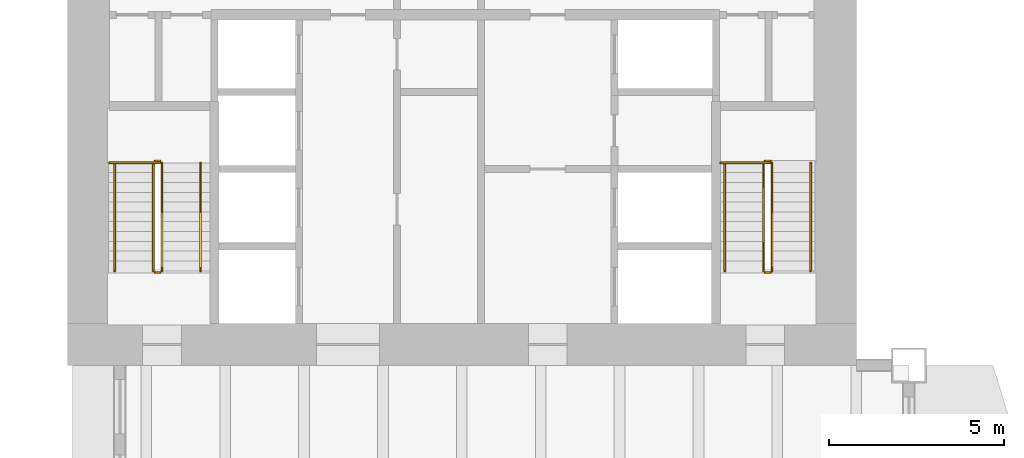
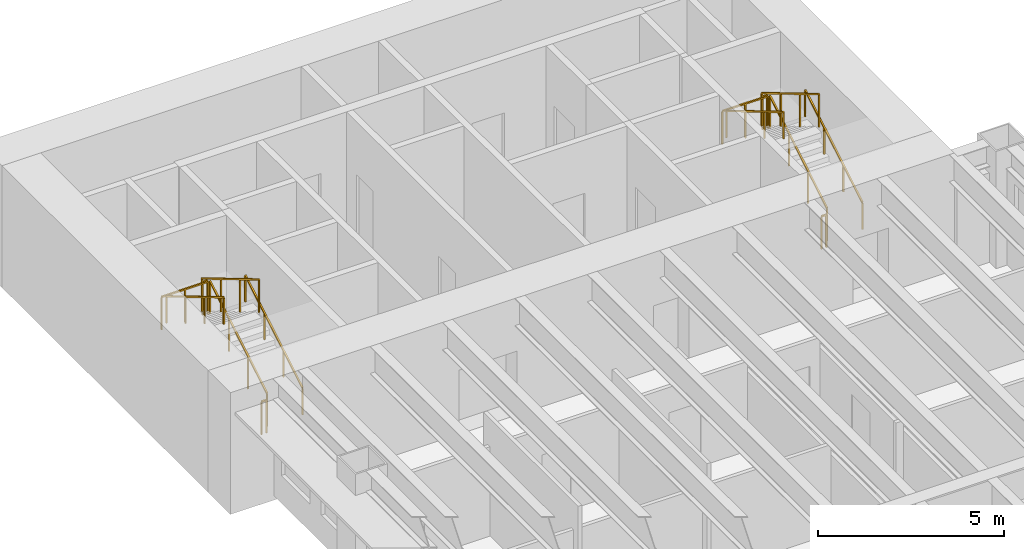
# One storey, part 16 of 16: 14 railings.
"""IFC4 building model written with IfcOpenShell, lengths in metres."""

from ifc_helpers import new_model, si_unit, direction, frame, origin, origin_2d, place, context, subcontext, project, spatial, rectangle, extrude, material, type_object, element, save


model = new_model("IFC4")

# Units and contexts
model_context = context("Model", 3, precision=1e-05, world=origin(), true_north=direction((0.0, 1.0)))
body_context = subcontext(model_context, "Body", "Model", "MODEL_VIEW")
ifc_project = project(units=[si_unit("LENGTHUNIT", "METRE"), si_unit("AREAUNIT", "SQUARE_METRE"), si_unit("VOLUMEUNIT", "CUBIC_METRE"), si_unit("PLANEANGLEUNIT", "RADIAN"), si_unit("MASSUNIT", "GRAM", prefix="KILO")], contexts=[model_context])

# Site, building, storey
site_placement = place(None, origin())
site = spatial("IfcSite", under=ifc_project, at=site_placement, CompositionType="ELEMENT")
building_placement = place(site_placement, origin())
building = spatial("IfcBuilding", under=site, at=building_placement, Name="Sennacour Bend Tower", CompositionType="ELEMENT")
storey_placement = place(building_placement, frame((0.0, 0.0, 119.0)))
storey = spatial("IfcBuildingStorey", under=building, at=storey_placement, Name="L27", CompositionType="ELEMENT", Elevation=119.0)

# Railings
ifc_material = material(Name="Stainless steel", Category="steel")
railing_type_1 = type_object("IfcRailingType", Name="RL-GUARD-1100", PredefinedType="GUARDRAIL", material=ifc_material)
railing_1_placement = place(storey_placement, frame((2.699951171875, 38.699951171875, 0.166748046875)))
element("IfcRailing", 1, at=railing_1_placement, inside=storey, type_object=railing_type_1, Name="L27 SB1 stair guard 1", PredefinedType="GUARDRAIL", context=body_context, shape_type="SweptSolid", body=[
    extrude(rectangle(XDim=0.048095703125, YDim=0.048095703125, at=origin_2d()), frame((0.0, 0.0, 1.076171875), z_axis=(0.0, 0.859308565015, 0.511457515432), x_axis=(-1.0, 0.0, 0.0)), (0.0, 0.0, 1.0), 3.58447265625),
    extrude(rectangle(XDim=0.0419921875, YDim=0.0419921875, at=origin_2d()), origin(), (0.0, 0.0, 1.0), 1.052001953125),
    extrude(rectangle(XDim=0.0419921875, YDim=0.0419921875, at=origin_2d()), frame((0.0, 1.026611328125, 0.611083984375)), (0.0, 0.0, 1.0), 1.052001953125),
    extrude(rectangle(XDim=0.0419921875, YDim=0.0419921875, at=origin_2d()), frame((0.0, 2.053466796875, 1.22216796875)), (0.0, 0.0, 1.0), 1.052001953125),
    extrude(rectangle(XDim=0.0419921875, YDim=0.0419921875, at=origin_2d()), frame((0.0, 3.080078125, 1.833251953125)), (0.0, 0.0, 1.0), 1.052001953125),
])
railing_2_placement = place(storey_placement, frame((2.64990234375, 41.830078125, 2.0)))
element("IfcRailing", 2, at=railing_2_placement, inside=storey, type_object=railing_type_1, Name="L27 SB1 stair guard 2", PredefinedType="GUARDRAIL", context=body_context, shape_type="SweptSolid", body=[
    extrude(rectangle(XDim=0.048095703125, YDim=0.048095703125, at=origin_2d()), frame((0.0, 0.0, 1.076171875), z_axis=(-1.0, 0.0, 0.0), x_axis=(0.0, -1.0, 0.0)), (0.0, 0.0, 1.0), 0.14990234375),
    extrude(rectangle(XDim=0.0419921875, YDim=0.0419921875, at=origin_2d()), origin(), (0.0, 0.0, 1.0), 1.052001953125),
    extrude(rectangle(XDim=0.0419921875, YDim=0.0419921875, at=origin_2d()), frame((-0.14990234375, 0.0, 0.0)), (0.0, 0.0, 1.0), 1.052001953125),
])
railing_3_placement = place(storey_placement, frame((2.449951171875, 41.780029296875, 2.166748046875)))
element("IfcRailing", 3, at=railing_3_placement, inside=storey, type_object=railing_type_1, Name="L27 SB1 stair guard 4", PredefinedType="GUARDRAIL", context=body_context, shape_type="SweptSolid", body=[
    extrude(rectangle(XDim=0.048095703125, YDim=0.048095703125, at=origin_2d()), frame((0.0, 0.0, 1.076171875), z_axis=(0.0, -0.859308565015, 0.511457515432), x_axis=(1.0, 0.0, 0.0)), (0.0, 0.0, 1.0), 3.58447265625),
    extrude(rectangle(XDim=0.0419921875, YDim=0.0419921875, at=origin_2d()), origin(), (0.0, 0.0, 1.0), 1.052001953125),
    extrude(rectangle(XDim=0.0419921875, YDim=0.0419921875, at=origin_2d()), frame((0.0, -1.026611328125, 0.611083984375)), (0.0, 0.0, 1.0), 1.052001953125),
    extrude(rectangle(XDim=0.0419921875, YDim=0.0419921875, at=origin_2d()), frame((0.0, -2.053466796875, 1.22216796875)), (0.0, 0.0, 1.0), 1.052001953125),
    extrude(rectangle(XDim=0.0419921875, YDim=0.0419921875, at=origin_2d()), frame((0.0, -3.080078125, 1.833251953125)), (0.0, 0.0, 1.0), 1.052001953125),
])
railing_4_placement = place(storey_placement, frame((2.64990234375, 38.64990234375, 0.0)))
element("IfcRailing", 4, at=railing_4_placement, inside=storey, type_object=railing_type_1, Name="L27 SB1 stair guard 5", PredefinedType="GUARDRAIL", context=body_context, shape_type="SweptSolid", body=[
    extrude(rectangle(XDim=0.048095703125, YDim=0.048095703125, at=origin_2d()), frame((0.0, 0.0, 1.076171875), z_axis=(-1.0, 0.0, 0.0), x_axis=(0.0, -1.0, 0.0)), (0.0, 0.0, 1.0), 0.14990234375),
    extrude(rectangle(XDim=0.0419921875, YDim=0.0419921875, at=origin_2d()), origin(), (0.0, 0.0, 1.0), 1.052001953125),
    extrude(rectangle(XDim=0.0419921875, YDim=0.0419921875, at=origin_2d()), frame((-0.14990234375, 0.0, 0.0)), (0.0, 0.0, 1.0), 1.052001953125),
])
railing_5_placement = place(storey_placement, frame((2.64990234375, 41.780029296875, 2.0)))
element("IfcRailing", 5, at=railing_5_placement, inside=storey, type_object=railing_type_1, Name="L27 SB1 landing edge guard 50", PredefinedType="GUARDRAIL", context=body_context, shape_type="SweptSolid", body=[
    extrude(rectangle(XDim=0.048095703125, YDim=0.048095703125, at=origin_2d()), frame((0.0, 0.0, 1.076171875), z_axis=(-1.0, 0.0, 0.0), x_axis=(0.0, -1.0, 0.0)), (0.0, 0.0, 1.0), 1.449951171875),
    extrude(rectangle(XDim=0.0419921875, YDim=0.0419921875, at=origin_2d()), origin(), (0.0, 0.0, 1.0), 1.052001953125),
    extrude(rectangle(XDim=0.0419921875, YDim=0.0419921875, at=origin_2d()), frame((-0.72509765625, 0.0, 0.0)), (0.0, 0.0, 1.0), 1.052001953125),
    extrude(rectangle(XDim=0.0419921875, YDim=0.0419921875, at=origin_2d()), frame((-1.449951171875, 0.0, 0.0)), (0.0, 0.0, 1.0), 1.052001953125),
])
railing_6_placement = place(storey_placement, frame((20.10009765625, 38.699951171875, 0.166748046875)))
element("IfcRailing", 6, at=railing_6_placement, inside=storey, type_object=railing_type_1, Name="L27 SB2 stair guard 1", PredefinedType="GUARDRAIL", context=body_context, shape_type="SweptSolid", body=[
    extrude(rectangle(XDim=0.048095703125, YDim=0.048095703125, at=origin_2d()), frame((0.0, 0.0, 1.076171875), z_axis=(0.0, 0.859308565015, 0.511457515432), x_axis=(-1.0, 0.0, 0.0)), (0.0, 0.0, 1.0), 3.58447265625),
    extrude(rectangle(XDim=0.0419921875, YDim=0.0419921875, at=origin_2d()), origin(), (0.0, 0.0, 1.0), 1.052001953125),
    extrude(rectangle(XDim=0.0419921875, YDim=0.0419921875, at=origin_2d()), frame((0.0, 1.026611328125, 0.611083984375)), (0.0, 0.0, 1.0), 1.052001953125),
    extrude(rectangle(XDim=0.0419921875, YDim=0.0419921875, at=origin_2d()), frame((0.0, 2.053466796875, 1.22216796875)), (0.0, 0.0, 1.0), 1.052001953125),
    extrude(rectangle(XDim=0.0419921875, YDim=0.0419921875, at=origin_2d()), frame((0.0, 3.080078125, 1.833251953125)), (0.0, 0.0, 1.0), 1.052001953125),
])
railing_7_placement = place(storey_placement, frame((20.050048828125, 41.830078125, 2.0)))
element("IfcRailing", 7, at=railing_7_placement, inside=storey, type_object=railing_type_1, Name="L27 SB2 stair guard 2", PredefinedType="GUARDRAIL", context=body_context, shape_type="SweptSolid", body=[
    extrude(rectangle(XDim=0.048095703125, YDim=0.048095703125, at=origin_2d()), frame((0.0, 0.0, 1.076171875), z_axis=(-1.0, 0.0, 0.0), x_axis=(0.0, -1.0, 0.0)), (0.0, 0.0, 1.0), 0.150146484375),
    extrude(rectangle(XDim=0.0419921875, YDim=0.0419921875, at=origin_2d()), origin(), (0.0, 0.0, 1.0), 1.052001953125),
    extrude(rectangle(XDim=0.0419921875, YDim=0.0419921875, at=origin_2d()), frame((-0.150146484375, 0.0, 0.0)), (0.0, 0.0, 1.0), 1.052001953125),
])
railing_8_placement = place(storey_placement, frame((19.85009765625, 41.780029296875, 2.166748046875)))
element("IfcRailing", 8, at=railing_8_placement, inside=storey, type_object=railing_type_1, Name="L27 SB2 stair guard 4", PredefinedType="GUARDRAIL", context=body_context, shape_type="SweptSolid", body=[
    extrude(rectangle(XDim=0.048095703125, YDim=0.048095703125, at=origin_2d()), frame((0.0, 0.0, 1.076171875), z_axis=(0.0, -0.859308565015, 0.511457515432), x_axis=(1.0, 0.0, 0.0)), (0.0, 0.0, 1.0), 3.58447265625),
    extrude(rectangle(XDim=0.0419921875, YDim=0.0419921875, at=origin_2d()), origin(), (0.0, 0.0, 1.0), 1.052001953125),
    extrude(rectangle(XDim=0.0419921875, YDim=0.0419921875, at=origin_2d()), frame((0.0, -1.026611328125, 0.611083984375)), (0.0, 0.0, 1.0), 1.052001953125),
    extrude(rectangle(XDim=0.0419921875, YDim=0.0419921875, at=origin_2d()), frame((0.0, -2.053466796875, 1.22216796875)), (0.0, 0.0, 1.0), 1.052001953125),
    extrude(rectangle(XDim=0.0419921875, YDim=0.0419921875, at=origin_2d()), frame((0.0, -3.080078125, 1.833251953125)), (0.0, 0.0, 1.0), 1.052001953125),
])
railing_9_placement = place(storey_placement, frame((20.050048828125, 38.64990234375, 0.0)))
element("IfcRailing", 9, at=railing_9_placement, inside=storey, type_object=railing_type_1, Name="L27 SB2 stair guard 5", PredefinedType="GUARDRAIL", context=body_context, shape_type="SweptSolid", body=[
    extrude(rectangle(XDim=0.048095703125, YDim=0.048095703125, at=origin_2d()), frame((0.0, 0.0, 1.076171875), z_axis=(-1.0, 0.0, 0.0), x_axis=(0.0, -1.0, 0.0)), (0.0, 0.0, 1.0), 0.150146484375),
    extrude(rectangle(XDim=0.0419921875, YDim=0.0419921875, at=origin_2d()), origin(), (0.0, 0.0, 1.0), 1.052001953125),
    extrude(rectangle(XDim=0.0419921875, YDim=0.0419921875, at=origin_2d()), frame((-0.150146484375, 0.0, 0.0)), (0.0, 0.0, 1.0), 1.052001953125),
])
railing_10_placement = place(storey_placement, frame((20.050048828125, 41.780029296875, 2.0)))
element("IfcRailing", 10, at=railing_10_placement, inside=storey, type_object=railing_type_1, Name="L27 SB2 landing edge guard 40", PredefinedType="GUARDRAIL", context=body_context, shape_type="SweptSolid", body=[
    extrude(rectangle(XDim=0.048095703125, YDim=0.048095703125, at=origin_2d()), frame((0.0, 0.0, 1.076171875), z_axis=(-1.0, 0.0, 0.0), x_axis=(0.0, -1.0, 0.0)), (0.0, 0.0, 1.0), 1.425048828125),
    extrude(rectangle(XDim=0.0419921875, YDim=0.0419921875, at=origin_2d()), origin(), (0.0, 0.0, 1.0), 1.052001953125),
    extrude(rectangle(XDim=0.0419921875, YDim=0.0419921875, at=origin_2d()), frame((-0.71240234375, 0.0, 0.0)), (0.0, 0.0, 1.0), 1.052001953125),
    extrude(rectangle(XDim=0.0419921875, YDim=0.0419921875, at=origin_2d()), frame((-1.425048828125, 0.0, 0.0)), (0.0, 0.0, 1.0), 1.052001953125),
])
railing_type_2 = type_object("IfcRailingType", Name="RL-HANDRAIL-900", PredefinedType="HANDRAIL", material=ifc_material)
railing_11_placement = place(storey_placement, frame((3.800048828125, 38.699951171875, 0.166748046875)))
element("IfcRailing", 11, at=railing_11_placement, inside=storey, type_object=railing_type_2, Name="L27 SB1 stair handrail 1", PredefinedType="HANDRAIL", context=body_context, shape_type="SweptSolid", body=[
    extrude(rectangle(XDim=0.048095703125, YDim=0.048095703125, at=origin_2d()), frame((0.0, 0.0, 0.8759765625), z_axis=(0.0, 0.859308565015, 0.511457515432), x_axis=(-1.0, 0.0, 0.0)), (0.0, 0.0, 1.0), 3.58447265625),
    extrude(rectangle(XDim=0.0419921875, YDim=0.0419921875, at=origin_2d()), origin(), (0.0, 0.0, 1.0), 0.851806640625),
    extrude(rectangle(XDim=0.0419921875, YDim=0.0419921875, at=origin_2d()), frame((0.0, 1.026611328125, 0.611083984375)), (0.0, 0.0, 1.0), 0.851806640625),
    extrude(rectangle(XDim=0.0419921875, YDim=0.0419921875, at=origin_2d()), frame((0.0, 2.053466796875, 1.22216796875)), (0.0, 0.0, 1.0), 0.851806640625),
    extrude(rectangle(XDim=0.0419921875, YDim=0.0419921875, at=origin_2d()), frame((0.0, 3.080078125, 1.833251953125)), (0.0, 0.0, 1.0), 0.851806640625),
])
railing_12_placement = place(storey_placement, frame((1.35009765625, 41.780029296875, 2.166748046875)))
element("IfcRailing", 12, at=railing_12_placement, inside=storey, type_object=railing_type_2, Name="L27 SB1 stair handrail 2", PredefinedType="HANDRAIL", context=body_context, shape_type="SweptSolid", body=[
    extrude(rectangle(XDim=0.048095703125, YDim=0.048095703125, at=origin_2d()), frame((0.0, 0.0, 0.8759765625), z_axis=(0.0, -0.859308565015, 0.511457515432), x_axis=(1.0, 0.0, 0.0)), (0.0, 0.0, 1.0), 3.58447265625),
    extrude(rectangle(XDim=0.0419921875, YDim=0.0419921875, at=origin_2d()), origin(), (0.0, 0.0, 1.0), 0.851806640625),
    extrude(rectangle(XDim=0.0419921875, YDim=0.0419921875, at=origin_2d()), frame((0.0, -1.026611328125, 0.611083984375)), (0.0, 0.0, 1.0), 0.851806640625),
    extrude(rectangle(XDim=0.0419921875, YDim=0.0419921875, at=origin_2d()), frame((0.0, -2.053466796875, 1.22216796875)), (0.0, 0.0, 1.0), 0.851806640625),
    extrude(rectangle(XDim=0.0419921875, YDim=0.0419921875, at=origin_2d()), frame((0.0, -3.080078125, 1.833251953125)), (0.0, 0.0, 1.0), 0.851806640625),
])
railing_13_placement = place(storey_placement, frame((21.199951171875, 38.699951171875, 0.166748046875)))
element("IfcRailing", 13, at=railing_13_placement, inside=storey, type_object=railing_type_2, Name="L27 SB2 stair handrail 1", PredefinedType="HANDRAIL", context=body_context, shape_type="SweptSolid", body=[
    extrude(rectangle(XDim=0.048095703125, YDim=0.048095703125, at=origin_2d()), frame((0.0, 0.0, 0.8759765625), z_axis=(0.0, 0.859308565015, 0.511457515432), x_axis=(-1.0, 0.0, 0.0)), (0.0, 0.0, 1.0), 3.58447265625),
    extrude(rectangle(XDim=0.0419921875, YDim=0.0419921875, at=origin_2d()), origin(), (0.0, 0.0, 1.0), 0.851806640625),
    extrude(rectangle(XDim=0.0419921875, YDim=0.0419921875, at=origin_2d()), frame((0.0, 1.026611328125, 0.611083984375)), (0.0, 0.0, 1.0), 0.851806640625),
    extrude(rectangle(XDim=0.0419921875, YDim=0.0419921875, at=origin_2d()), frame((0.0, 2.053466796875, 1.22216796875)), (0.0, 0.0, 1.0), 0.851806640625),
    extrude(rectangle(XDim=0.0419921875, YDim=0.0419921875, at=origin_2d()), frame((0.0, 3.080078125, 1.833251953125)), (0.0, 0.0, 1.0), 0.851806640625),
])
railing_14_placement = place(storey_placement, frame((18.75, 41.780029296875, 2.166748046875)))
element("IfcRailing", 14, at=railing_14_placement, inside=storey, type_object=railing_type_2, Name="L27 SB2 stair handrail 2", PredefinedType="HANDRAIL", context=body_context, shape_type="SweptSolid", body=[
    extrude(rectangle(XDim=0.048095703125, YDim=0.048095703125, at=origin_2d()), frame((0.0, 0.0, 0.8759765625), z_axis=(0.0, -0.859308565015, 0.511457515432), x_axis=(1.0, 0.0, 0.0)), (0.0, 0.0, 1.0), 3.58447265625),
    extrude(rectangle(XDim=0.0419921875, YDim=0.0419921875, at=origin_2d()), origin(), (0.0, 0.0, 1.0), 0.851806640625),
    extrude(rectangle(XDim=0.0419921875, YDim=0.0419921875, at=origin_2d()), frame((0.0, -1.026611328125, 0.611083984375)), (0.0, 0.0, 1.0), 0.851806640625),
    extrude(rectangle(XDim=0.0419921875, YDim=0.0419921875, at=origin_2d()), frame((0.0, -2.053466796875, 1.22216796875)), (0.0, 0.0, 1.0), 0.851806640625),
    extrude(rectangle(XDim=0.0419921875, YDim=0.0419921875, at=origin_2d()), frame((0.0, -3.080078125, 1.833251953125)), (0.0, 0.0, 1.0), 0.851806640625),
])

save(model, "model.ifc")
